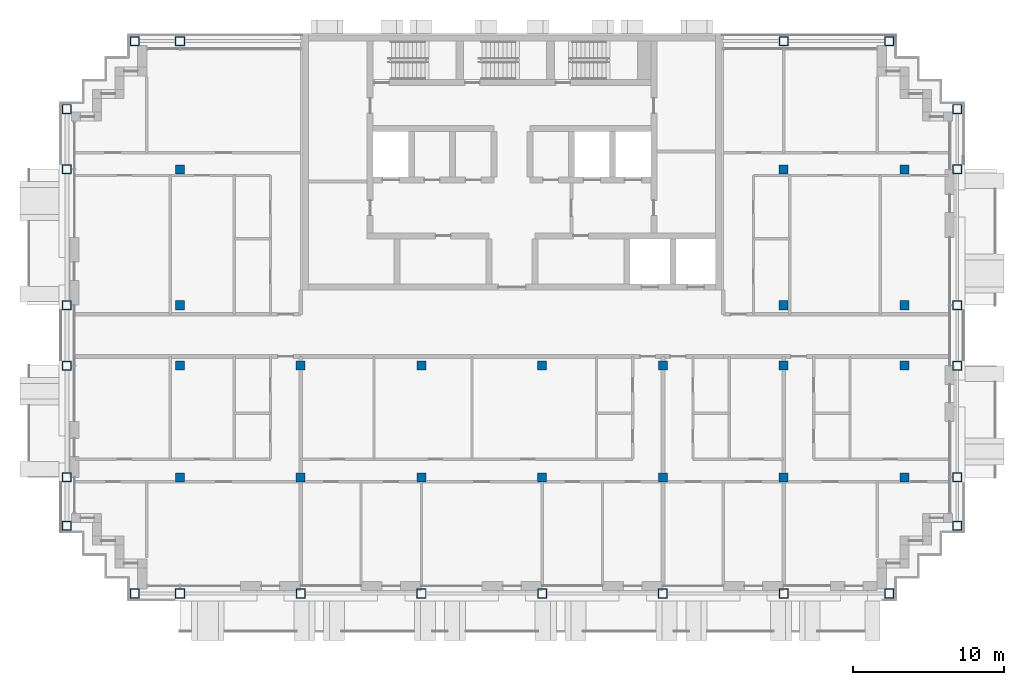
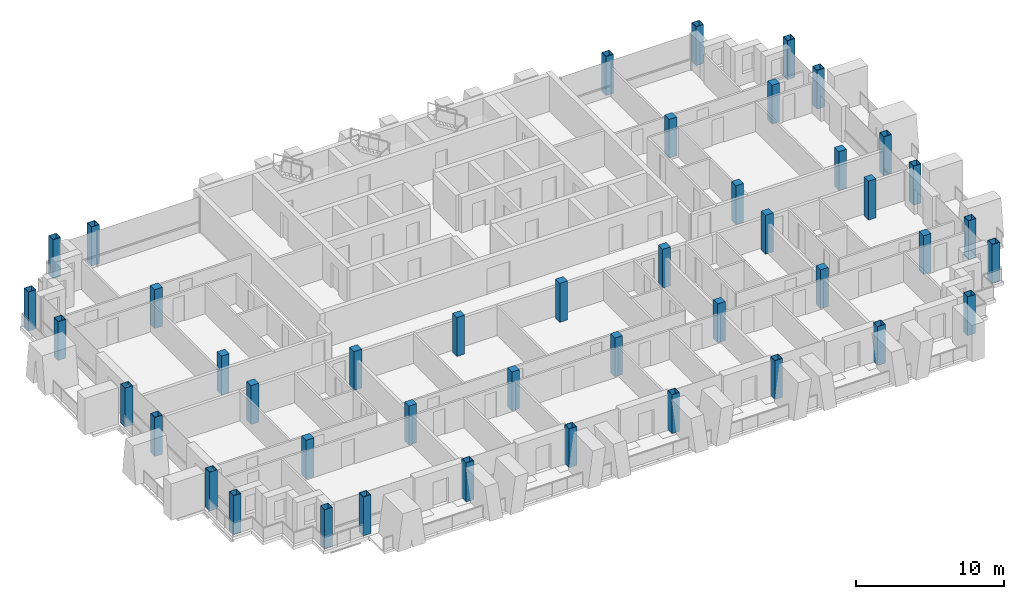
# One storey, part 1 of 15: 44 columns.
"""IFC4 building model written with IfcOpenShell, lengths in metres."""

from ifc_helpers import new_model, si_unit, direction, frame, origin, origin_2d, place, context, subcontext, project, spatial, rectangle, hollow_rectangle, extrude, material, material_profile, profile_set, type_object, element, save


model = new_model("IFC4")

# Units and contexts
model_context = context("Model", 3, precision=1e-05, world=origin(), true_north=direction((0.0, 1.0)))
body_context = subcontext(model_context, "Body", "Model", "MODEL_VIEW")
ifc_project = project(units=[si_unit("LENGTHUNIT", "METRE"), si_unit("AREAUNIT", "SQUARE_METRE"), si_unit("VOLUMEUNIT", "CUBIC_METRE"), si_unit("PLANEANGLEUNIT", "RADIAN"), si_unit("MASSUNIT", "GRAM", prefix="KILO")], contexts=[model_context])

# Site, building, storey
site_placement = place(None, origin())
site = spatial("IfcSite", under=ifc_project, at=site_placement, CompositionType="ELEMENT")
building_placement = place(site_placement, origin())
building = spatial("IfcBuilding", under=site, at=building_placement, Name="Vidyagriha Tower", CompositionType="ELEMENT")
storey_placement = place(building_placement, frame((0.0, 0.0, 214.0)))
storey = spatial("IfcBuildingStorey", under=building, at=storey_placement, Name="L55", CompositionType="ELEMENT", Elevation=214.0)

# Columns
ifc_material_1 = material(Name="Steel ASTM A572 Grade 50", Category="steel")
ifc_material_profile_1 = material_profile(ifc_material_1, hollow_rectangle(XDim=0.60009765625, YDim=0.60009765625, WallThickness=0.030029296875, at=origin_2d()), Name="BOX 600x600x30")
ifc_profile_set_1 = profile_set([ifc_material_profile_1], Name="Steel ASTM A572 Grade 50")
column_type_1 = type_object("IfcColumnType", Name="Exoskeleton column BOX 600x600x30", PredefinedType="COLUMN", material=ifc_profile_set_1)
for number, where, name in (
    (1, (-25.0, -17.10009765625, 0.0), "st-col-L55-B5-001"),
    (2, (-22.0, -17.10009765625, 0.0), "st-col-L55-B5-002"),
    (3, (-14.0, -17.10009765625, 0.0), "st-col-L55-B5-003"),
    (4, (-6.0, -17.10009765625, 0.0), "st-col-L55-B5-004"),
    (5, (2.0, -17.10009765625, 0.0), "st-col-L55-B5-005"),
    (6, (10.0, -17.10009765625, 0.0), "st-col-L55-B5-006"),
    (7, (18.0, -17.10009765625, 0.0), "st-col-L55-B5-007"),
    (8, (25.0, -17.10009765625, 0.0), "st-col-L55-B5-008"),
    (9, (-29.5, -12.60009765625, 0.0), "st-col-L55-B5-009"),
    (10, (29.5, -12.60009765625, 0.0), "st-col-L55-B5-010"),
    (11, (-29.5, -9.39990234375, 0.0), "st-col-L55-B5-011"),
    (12, (29.5, -9.39990234375, 0.0), "st-col-L55-B5-019"),
    (13, (-29.5, -2.0, 0.0), "st-col-L55-B5-020"),
    (14, (29.5, -2.0, 0.0), "st-col-L55-B5-028"),
    (15, (-29.5, 2.0, 0.0), "st-col-L55-B5-029"),
    (16, (29.5, 2.0, 0.0), "st-col-L55-B5-033"),
    (17, (-29.5, 11.0, 0.0), "st-col-L55-B5-034"),
    (18, (29.5, 11.0, 0.0), "st-col-L55-B5-038"),
    (19, (-29.5, 15.0, 0.0), "st-col-L55-B5-039"),
    (20, (29.5, 15.0, 0.0), "st-col-L55-B5-040"),
    (21, (-25.0, 19.5, 0.0), "st-col-L55-B5-041"),
    (22, (-22.0, 19.5, 0.0), "st-col-L55-B5-042"),
    (23, (18.0, 19.5, 0.0), "st-col-L55-B5-043"),
    (24, (25.0, 19.5, 0.0), "st-col-L55-B5-044"),
):
    element("IfcColumn", number, at=place(storey_placement, frame(where)), inside=storey, type_object=column_type_1, Name=name, PredefinedType="COLUMN", context=body_context, shape_type="SweptSolid", body=[
        extrude(hollow_rectangle(XDim=0.60009765625, YDim=0.60009765625, WallThickness=0.030029296875, at=origin_2d()), origin(), (0.0, 0.0, 1.0), 3.199951171875),
    ])
ifc_material_2 = material(Name="Concrete C60/75", Category="concrete")
ifc_material_profile_2 = material_profile(ifc_material_2, rectangle(XDim=0.60009765625, YDim=0.60009765625, at=origin_2d()), Name="RC 600x600")
ifc_profile_set_2 = profile_set([ifc_material_profile_2], Name="Concrete C60/75")
column_type_2 = type_object("IfcColumnType", Name="Frame column RC 600x600", PredefinedType="COLUMN", material=ifc_profile_set_2)
for number, where, name in (
    (25, (-22.0, -9.39990234375, 0.0), "st-col-L55-B5-012"),
    (26, (-14.0, -9.39990234375, 0.0), "st-col-L55-B5-013"),
    (27, (-6.0, -9.39990234375, 0.0), "st-col-L55-B5-014"),
    (28, (2.0, -9.39990234375, 0.0), "st-col-L55-B5-015"),
    (29, (10.0, -9.39990234375, 0.0), "st-col-L55-B5-016"),
    (30, (18.0, -9.39990234375, 0.0), "st-col-L55-B5-017"),
    (31, (26.0, -9.39990234375, 0.0), "st-col-L55-B5-018"),
    (32, (-22.0, -2.0, 0.0), "st-col-L55-B5-021"),
    (33, (-14.0, -2.0, 0.0), "st-col-L55-B5-022"),
    (34, (-6.0, -2.0, 0.0), "st-col-L55-B5-023"),
    (35, (2.0, -2.0, 0.0), "st-col-L55-B5-024"),
    (36, (10.0, -2.0, 0.0), "st-col-L55-B5-025"),
    (37, (18.0, -2.0, 0.0), "st-col-L55-B5-026"),
    (38, (26.0, -2.0, 0.0), "st-col-L55-B5-027"),
    (39, (-22.0, 2.0, 0.0), "st-col-L55-B5-030"),
    (40, (18.0, 2.0, 0.0), "st-col-L55-B5-031"),
    (41, (26.0, 2.0, 0.0), "st-col-L55-B5-032"),
    (42, (-22.0, 11.0, 0.0), "st-col-L55-B5-035"),
    (43, (18.0, 11.0, 0.0), "st-col-L55-B5-036"),
    (44, (26.0, 11.0, 0.0), "st-col-L55-B5-037"),
):
    element("IfcColumn", number, at=place(storey_placement, frame(where)), inside=storey, type_object=column_type_2, Name=name, PredefinedType="COLUMN", context=body_context, shape_type="SweptSolid", body=[
        extrude(rectangle(XDim=0.60009765625, YDim=0.60009765625, at=origin_2d()), origin(), (0.0, 0.0, 1.0), 3.199951171875),
    ])

save(model, "model.ifc")
